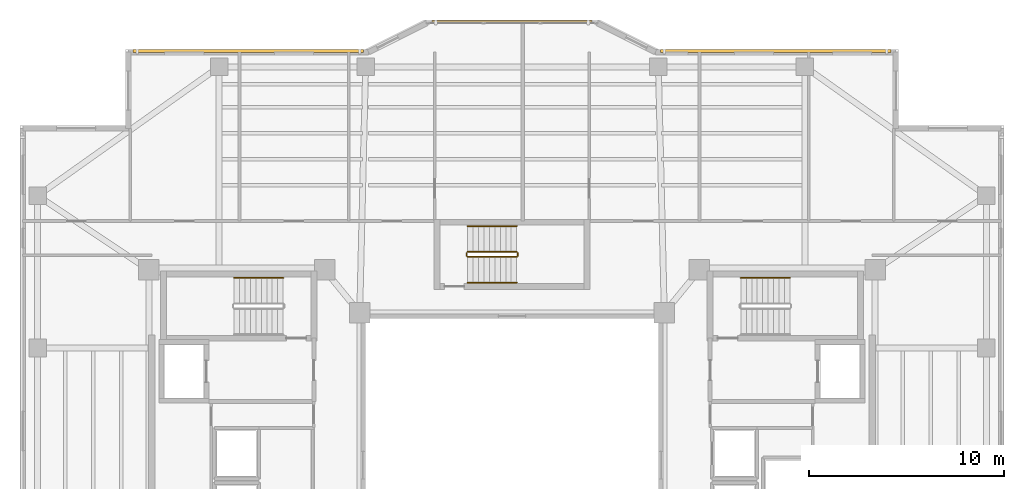
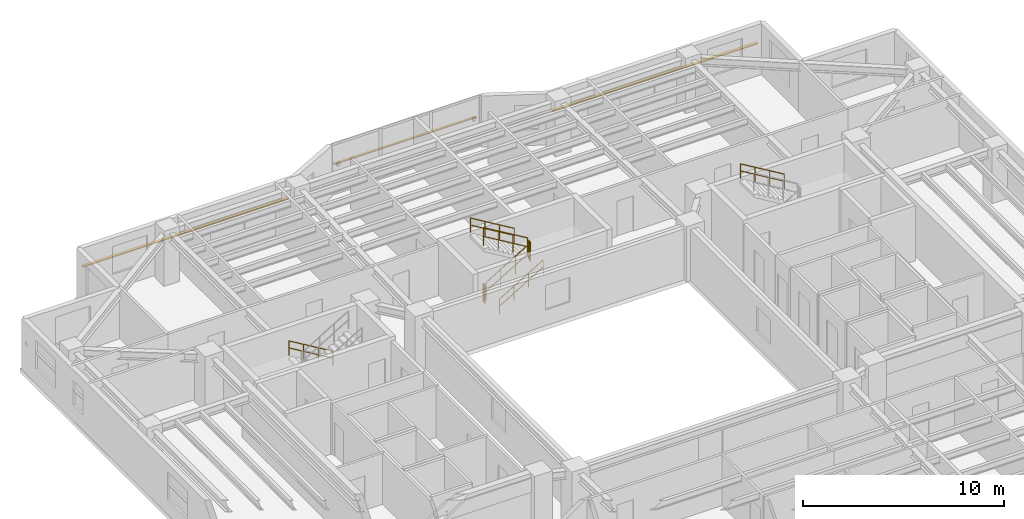
# One storey, part 15 of 15: 8 railings, 3 shading devices.
"""IFC4 building model written with IfcOpenShell, lengths in metres."""

from ifc_helpers import new_model, si_unit, direction, frame, origin, origin_2d, place, context, subcontext, project, spatial, rectangle, circle, extrude, material, material_profile, profile_set, type_object, element, save


model = new_model("IFC4")

# Units and contexts
model_context = context("Model", 3, precision=1e-05, world=origin(), true_north=direction((0.0, 1.0)))
body_context = subcontext(model_context, "Body", "Model", "MODEL_VIEW")
ifc_project = project(units=[si_unit("LENGTHUNIT", "METRE"), si_unit("AREAUNIT", "SQUARE_METRE"), si_unit("VOLUMEUNIT", "CUBIC_METRE"), si_unit("PLANEANGLEUNIT", "RADIAN"), si_unit("MASSUNIT", "GRAM", prefix="KILO")], contexts=[model_context])

# Site, building, storey
site_placement = place(None, origin())
site = spatial("IfcSite", under=ifc_project, at=site_placement, CompositionType="ELEMENT")
building_placement = place(site_placement, origin())
building = spatial("IfcBuilding", under=site, at=building_placement, Name="Tarnavaz Court Tower", CompositionType="ELEMENT")
storey_placement = place(building_placement, frame((0.0, 0.0, 142.64990234375)))
storey = spatial("IfcBuildingStorey", under=building, at=storey_placement, Name="L38", CompositionType="ELEMENT", Elevation=142.64990234375)

# Railings
ifc_material_1 = material(Name="Brushed Stainless Steel", Category="steel")
railing_type_1 = type_object("IfcRailingType", Name="RL-HANDRAIL-900", PredefinedType="HANDRAIL", material=ifc_material_1)
for number, where, name in (
    (1, (-11.719970703125, 9.590087890625, 0.16748046875), "L38 ST-W1 stair handrail 1"),
    (2, (14.239990234375, 9.590087890625, 1.842529296875), "L38 ST-E1 stair handrail 2"),
):
    element("IfcRailing", number, at=place(storey_placement, frame(where)), inside=storey, type_object=railing_type_1, Name=name, PredefinedType="HANDRAIL", context=body_context, shape_type="SweptSolid", body=[
        extrude(circle(Radius=0.02392578125, at=origin_2d()), frame((0.0, 0.0, 0.8759765625), z_axis=(-0.858159760407, 0.0, 0.513382728203), x_axis=(0.0, -1.0, 0.0)), (0.0, 0.0, 1.0), 2.9365234375),
        extrude(circle(Radius=0.02392578125, at=origin_2d()), frame((0.0, 0.0, 0.449951171875), z_axis=(-0.858159760407, 0.0, 0.513382728203), x_axis=(0.0, -1.0, 0.0)), (0.0, 0.0, 1.0), 2.9365234375),
        extrude(circle(Radius=0.02099609375, at=origin_2d()), origin(), (0.0, 0.0, 1.0), 0.851806640625),
        extrude(circle(Radius=0.02099609375, at=origin_2d()), frame((-0.840087890625, 0.0, 0.50244140625)), (0.0, 0.0, 1.0), 0.851806640625),
        extrude(circle(Radius=0.02099609375, at=origin_2d()), frame((-1.679931640625, 0.0, 1.005126953125)), (0.0, 0.0, 1.0), 0.851806640625),
        extrude(circle(Radius=0.02099609375, at=origin_2d()), frame((-2.52001953125, 0.0, 1.507568359375)), (0.0, 0.0, 1.0), 0.851806640625),
    ])
railing_1_placement = place(storey_placement, frame((-2.280029296875, 9.35009765625, 0.16748046875)))
element("IfcRailing", 3, at=railing_1_placement, inside=storey, type_object=railing_type_1, Name="L38 ST-N1 stair handrail 1", PredefinedType="HANDRAIL", context=body_context, shape_type="SweptSolid", body=[
    extrude(circle(Radius=0.02392578125, at=origin_2d()), frame((0.0, 0.0, 0.8759765625), z_axis=(0.858159760407, 0.0, 0.513382728203), x_axis=(0.0, 1.0, 0.0)), (0.0, 0.0, 1.0), 2.9365234375),
    extrude(circle(Radius=0.02392578125, at=origin_2d()), frame((0.0, 0.0, 0.449951171875), z_axis=(0.858159760407, 0.0, 0.513382728203), x_axis=(0.0, 1.0, 0.0)), (0.0, 0.0, 1.0), 2.9365234375),
    extrude(circle(Radius=0.02099609375, at=origin_2d()), origin(), (0.0, 0.0, 1.0), 0.851806640625),
    extrude(circle(Radius=0.02099609375, at=origin_2d()), frame((0.840087890625, 0.0, 0.50244140625)), (0.0, 0.0, 1.0), 0.851806640625),
    extrude(circle(Radius=0.02099609375, at=origin_2d()), frame((1.679931640625, 0.0, 1.005126953125)), (0.0, 0.0, 1.0), 0.851806640625),
    extrude(circle(Radius=0.02099609375, at=origin_2d()), frame((2.52001953125, 0.0, 1.507568359375)), (0.0, 0.0, 1.0), 0.851806640625),
])
railing_2_placement = place(storey_placement, frame((0.239990234375, 12.239990234375, 1.842529296875)))
element("IfcRailing", 4, at=railing_2_placement, inside=storey, type_object=railing_type_1, Name="L38 ST-N1 stair handrail 2", PredefinedType="HANDRAIL", context=body_context, shape_type="SweptSolid", body=[
    extrude(circle(Radius=0.02392578125, at=origin_2d()), frame((0.0, 0.0, 0.8759765625), z_axis=(-0.858159760407, 0.0, 0.513382728203), x_axis=(0.0, -1.0, 0.0)), (0.0, 0.0, 1.0), 2.9365234375),
    extrude(circle(Radius=0.02392578125, at=origin_2d()), frame((0.0, 0.0, 0.449951171875), z_axis=(-0.858159760407, 0.0, 0.513382728203), x_axis=(0.0, -1.0, 0.0)), (0.0, 0.0, 1.0), 2.9365234375),
    extrude(circle(Radius=0.02099609375, at=origin_2d()), origin(), (0.0, 0.0, 1.0), 0.851806640625),
    extrude(circle(Radius=0.02099609375, at=origin_2d()), frame((-0.840087890625, 0.0, 0.50244140625)), (0.0, 0.0, 1.0), 0.851806640625),
    extrude(circle(Radius=0.02099609375, at=origin_2d()), frame((-1.679931640625, 0.0, 1.005126953125)), (0.0, 0.0, 1.0), 0.851806640625),
    extrude(circle(Radius=0.02099609375, at=origin_2d()), frame((-2.52001953125, 0.0, 1.507568359375)), (0.0, 0.0, 1.0), 0.851806640625),
])
ifc_material_2 = material(Name="Galvanized Painted Tubular Steel", Category="steel")
railing_type_2 = type_object("IfcRailingType", Name="RL-STGUARD-1120", PredefinedType="GUARDRAIL", material=ifc_material_2)
railing_3_placement = place(storey_placement, frame((-2.280029296875, 10.669921875, 0.16748046875)))
element("IfcRailing", 5, at=railing_3_placement, inside=storey, type_object=railing_type_2, Name="L38 ST-N1 stair guard 1", PredefinedType="GUARDRAIL", context=body_context, shape_type="SweptSolid", body=[
    extrude(circle(Radius=0.02392578125, at=origin_2d()), frame((0.0, 0.0, 1.09619140625), z_axis=(0.858159760407, 0.0, 0.513382728203), x_axis=(0.0, 1.0, 0.0)), (0.0, 0.0, 1.0), 2.9365234375),
    extrude(circle(Radius=0.02392578125, at=origin_2d()), frame((0.0, 0.0, 0.56005859375), z_axis=(0.858159760407, 0.0, 0.513382728203), x_axis=(0.0, 1.0, 0.0)), (0.0, 0.0, 1.0), 2.9365234375),
    extrude(circle(Radius=0.02099609375, at=origin_2d()), origin(), (0.0, 0.0, 1.0), 1.072021484375),
    extrude(circle(Radius=0.02099609375, at=origin_2d()), frame((0.840087890625, 0.0, 0.50244140625)), (0.0, 0.0, 1.0), 1.072021484375),
    extrude(circle(Radius=0.02099609375, at=origin_2d()), frame((1.679931640625, 0.0, 1.005126953125)), (0.0, 0.0, 1.0), 1.072021484375),
    extrude(circle(Radius=0.02099609375, at=origin_2d()), frame((2.52001953125, 0.0, 1.507568359375)), (0.0, 0.0, 1.0), 1.072021484375),
])
railing_4_placement = place(storey_placement, frame((0.2900390625, 10.719970703125, 1.675048828125)))
element("IfcRailing", 6, at=railing_4_placement, inside=storey, type_object=railing_type_2, Name="L38 ST-N1 stair guard 2", PredefinedType="GUARDRAIL", context=body_context, shape_type="SweptSolid", body=[
    extrude(circle(Radius=0.02392578125, at=origin_2d()), frame((0.0, 0.0, 1.09619140625), z_axis=(0.0, 1.0, 0.0), x_axis=(-1.0, 0.0, 0.0)), (0.0, 0.0, 1.0), 0.150146484375),
    extrude(circle(Radius=0.02392578125, at=origin_2d()), frame((0.0, 0.0, 0.56005859375), z_axis=(0.0, 1.0, 0.0), x_axis=(-1.0, 0.0, 0.0)), (0.0, 0.0, 1.0), 0.150146484375),
    extrude(circle(Radius=0.02099609375, at=origin_2d()), origin(), (0.0, 0.0, 1.0), 1.072021484375),
    extrude(circle(Radius=0.02099609375, at=origin_2d()), frame((0.0, 0.150146484375, 0.0)), (0.0, 0.0, 1.0), 1.072021484375),
])
railing_5_placement = place(storey_placement, frame((0.239990234375, 10.919921875, 1.842529296875)))
element("IfcRailing", 7, at=railing_5_placement, inside=storey, type_object=railing_type_2, Name="L38 ST-N1 stair guard 3", PredefinedType="GUARDRAIL", context=body_context, shape_type="SweptSolid", body=[
    extrude(circle(Radius=0.02392578125, at=origin_2d()), frame((0.0, 0.0, 1.09619140625), z_axis=(-0.858159760407, 0.0, 0.513382728203), x_axis=(0.0, -1.0, 0.0)), (0.0, 0.0, 1.0), 2.9365234375),
    extrude(circle(Radius=0.02392578125, at=origin_2d()), frame((0.0, 0.0, 0.56005859375), z_axis=(-0.858159760407, 0.0, 0.513382728203), x_axis=(0.0, -1.0, 0.0)), (0.0, 0.0, 1.0), 2.9365234375),
    extrude(circle(Radius=0.02099609375, at=origin_2d()), origin(), (0.0, 0.0, 1.0), 1.072021484375),
    extrude(circle(Radius=0.02099609375, at=origin_2d()), frame((-0.840087890625, 0.0, 0.50244140625)), (0.0, 0.0, 1.0), 1.072021484375),
    extrude(circle(Radius=0.02099609375, at=origin_2d()), frame((-1.679931640625, 0.0, 1.005126953125)), (0.0, 0.0, 1.0), 1.072021484375),
    extrude(circle(Radius=0.02099609375, at=origin_2d()), frame((-2.52001953125, 0.0, 1.507568359375)), (0.0, 0.0, 1.0), 1.072021484375),
])
railing_6_placement = place(storey_placement, frame((-2.330078125, 10.719970703125, 0.0)))
element("IfcRailing", 8, at=railing_6_placement, inside=storey, type_object=railing_type_2, Name="L38 ST-N1 stair guard 4", PredefinedType="GUARDRAIL", context=body_context, shape_type="SweptSolid", body=[
    extrude(circle(Radius=0.02392578125, at=origin_2d()), frame((0.0, 0.0, 1.09619140625), z_axis=(0.0, 1.0, 0.0), x_axis=(-1.0, 0.0, 0.0)), (0.0, 0.0, 1.0), 0.150146484375),
    extrude(circle(Radius=0.02392578125, at=origin_2d()), frame((0.0, 0.0, 0.56005859375), z_axis=(0.0, 1.0, 0.0), x_axis=(-1.0, 0.0, 0.0)), (0.0, 0.0, 1.0), 0.150146484375),
    extrude(circle(Radius=0.02099609375, at=origin_2d()), origin(), (0.0, 0.0, 1.0), 1.072021484375),
    extrude(circle(Radius=0.02099609375, at=origin_2d()), frame((0.0, 0.150146484375, 0.0)), (0.0, 0.0, 1.0), 1.072021484375),
])

# Shading devices
ifc_material_3 = material(Name="Kiln-Fired Khorasan Terracotta Ceramic", Category="masonry")
ifc_material_profile_1 = material_profile(ifc_material_3, rectangle(XDim=0.1201171875, YDim=0.06005859375, at=origin_2d()), Name="TC BAGUETTE 120X60")
ifc_profile_set_1 = profile_set([ifc_material_profile_1], Name="Kiln-Fired Khorasan Terracotta Ceramic")
shading_device_type_1 = type_object("IfcShadingDeviceType", Name="SD-BAG-120", PredefinedType="USERDEFINED", material=ifc_profile_set_1)
shading_device_placement = place(storey_placement, frame((-4.10009765625, 22.7099609375, 1.800048828125), z_axis=(1.0, 0.0, 0.0), x_axis=(0.0, 1.0, 0.0)))
element("IfcShadingDevice", 9, at=shading_device_placement, inside=storey, type_object=shading_device_type_1, Name="L38 Terracotta Baguette Screen PBG7", ObjectType="BAGUETTE", PredefinedType="USERDEFINED", context=body_context, shape_type="SweptSolid", body=[
    extrude(rectangle(XDim=0.1201171875, YDim=0.06005859375, at=origin_2d()), origin(), (0.0, 0.0, 1.0), 8.2001953125),
])
ifc_material_profile_2 = material_profile(ifc_material_3, rectangle(XDim=0.14990234375, YDim=0.06494140625, at=origin_2d()), Name="TC BAGUETTE 150X65")
ifc_profile_set_2 = profile_set([ifc_material_profile_2], Name="Kiln-Fired Khorasan Terracotta Ceramic")
shading_device_type_2 = type_object("IfcShadingDeviceType", Name="SD-BAG-150", PredefinedType="USERDEFINED", material=ifc_profile_set_2)
for number, where, z_axis, x_axis, name in (
    (10, (-19.39990234375, 21.2099609375, 1.85009765625), (1.0, 0.0, 0.0), (0.0, 1.0, 0.0), "L38 Terracotta Baguette Screen FBG05"),
    (11, (7.60009765625, 21.2099609375, 1.85009765625), (1.0, 0.0, 0.0), (0.0, 1.0, 0.0), "L38 Terracotta Baguette Screen FBG09"),
):
    element("IfcShadingDevice", number, at=place(storey_placement, frame(where, z_axis=z_axis, x_axis=x_axis)), inside=storey, type_object=shading_device_type_2, Name=name, ObjectType="BAGUETTE", PredefinedType="USERDEFINED", context=body_context, shape_type="SweptSolid", body=[
        extrude(rectangle(XDim=0.14990234375, YDim=0.06494140625, at=origin_2d()), origin(), (0.0, 0.0, 1.0), 11.7998046875),
    ])

save(model, "model.ifc")
